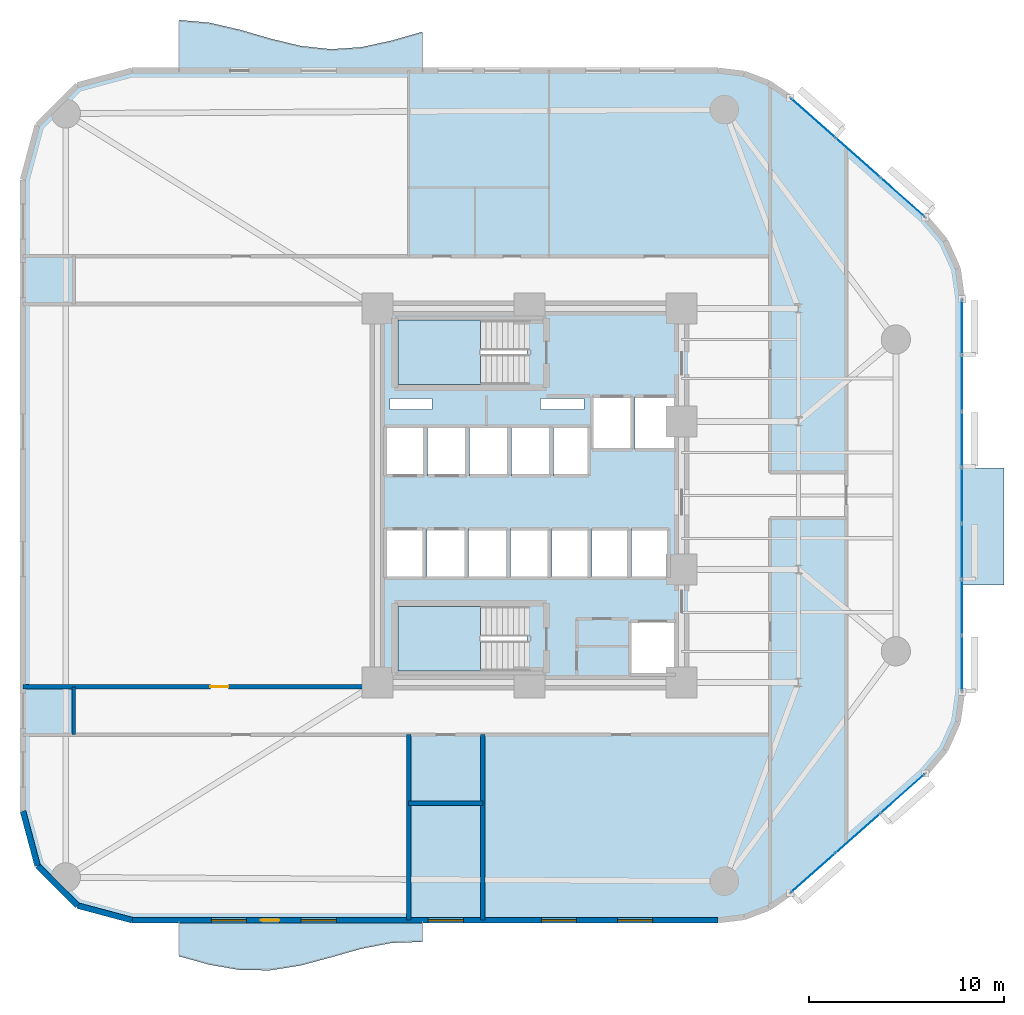
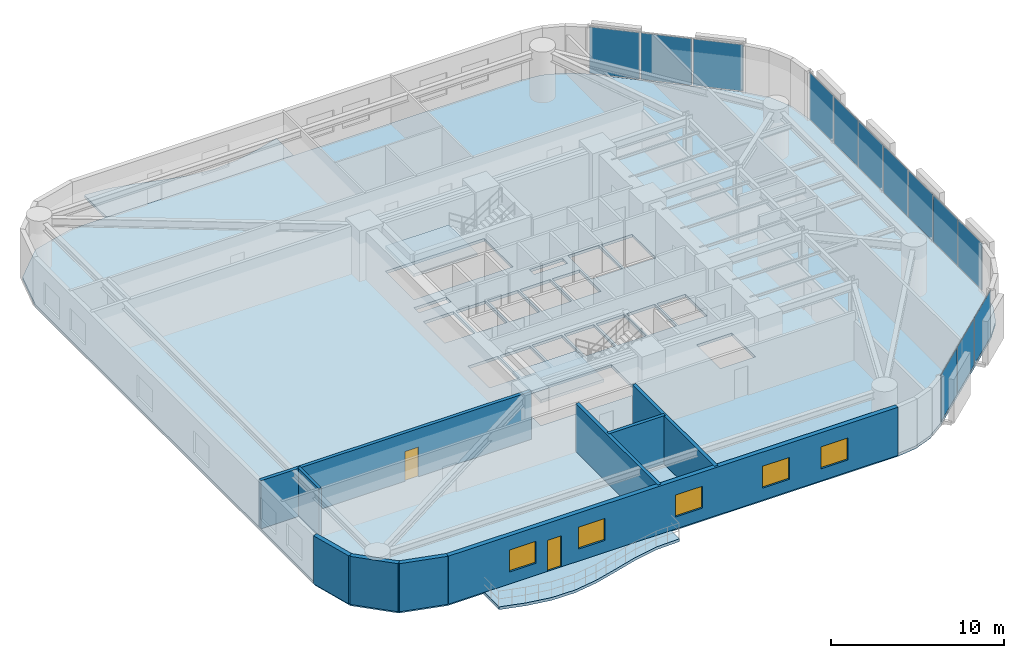
# One storey, part 9 of 15: 13 plates, 9 walls, 6 slabs, 5 windows, 2 doors, 7 openings, 5 elements without a shape of their own.
"""IFC4 building model written with IfcOpenShell, lengths in metres."""

from ifc_helpers import new_model, si_unit, direction, frame, frame_2d, origin, origin_2d, place, context, subcontext, project, spatial, polyline, rectangle, outline, extrude, material, layer, layer_set, type_object, element, fill, aggregate, save


model = new_model("IFC4")

# Units and contexts
model_context = context("Model", 3, precision=1e-05, world=origin(), true_north=direction((0.0, 1.0)))
body_context = subcontext(model_context, "Body", "Model", "MODEL_VIEW")
ifc_project = project(units=[si_unit("LENGTHUNIT", "METRE"), si_unit("AREAUNIT", "SQUARE_METRE"), si_unit("VOLUMEUNIT", "CUBIC_METRE"), si_unit("PLANEANGLEUNIT", "RADIAN"), si_unit("MASSUNIT", "GRAM", prefix="KILO")], contexts=[model_context])

# Site, building, storey
site_placement = place(None, origin())
site = spatial("IfcSite", under=ifc_project, at=site_placement, CompositionType="ELEMENT")
building_placement = place(site_placement, origin())
building = spatial("IfcBuilding", under=site, at=building_placement, Name="An Khanh Terracotta Commons", CompositionType="ELEMENT")
storey_placement = place(building_placement, frame((0.0, 0.0, 61.199951171875)))
storey = spatial("IfcBuildingStorey", under=building, at=storey_placement, Name="L16", CompositionType="ELEMENT", Elevation=61.199951171875)

# Curtain wall, plates
ifc_material_1 = material(Name="Anodised Aluminium 6063-T6", Category="aluminium")
ifc_layer_1 = layer(ifc_material_1, 0.199951171875, Name="Anodised Aluminium 6063-T6")
ifc_layer_set_1 = layer_set([ifc_layer_1], Name="Anodised Aluminium 6063-T6")
curtain_wall_type = type_object("IfcCurtainWallType", Name="CW-SYS-02", PredefinedType="USERDEFINED", material=ifc_layer_set_1)
curtain_wall_1_placement = place(storey_placement, origin())
curtain_wall_1 = element("IfcCurtainWall", 1, at=curtain_wall_1_placement, inside=storey, type_object=curtain_wall_type, Name="L16 CW-02 Unitised Curtain Wall CW-L16-08", ObjectType="UNITISED CURTAIN WALL", PredefinedType="USERDEFINED")
ifc_material_2 = material(Name="Double Low-E Solar Control Glazing", Category="glass")
ifc_layer_2 = layer(ifc_material_2, 0.028076171875, Name="Double Low-E Solar Control Glazing")
ifc_layer_set_2 = layer_set([ifc_layer_2], Name="Double Low-E Solar Control Glazing")
plate_type = type_object("IfcPlateType", Name="CWP-IGU-28", PredefinedType="CURTAIN_PANEL", material=ifc_layer_set_2)
plate_1_placement = place(storey_placement, frame((43.95556640625, 4.637939453125, 0.06005859375), z_axis=(0.0, 0.0, 1.0), x_axis=(0.749019284633, 0.662548195415, 0.0)))
plate_1 = element("IfcPlate", 2, at=plate_1_placement, type_object=plate_type, Name="CW-02 panel 1.1", PredefinedType="CURTAIN_PANEL", context=body_context, shape_type="SweptSolid", body=[
    extrude(rectangle(XDim=2.97509765625, YDim=0.028076171875, at=origin_2d()), origin(), (0.0, 0.0, 1.0), 3.280029296875),
])
plate_2_placement = place(storey_placement, frame((46.24951171875, 6.6669921875, 0.06005859375), z_axis=(0.0, 0.0, 1.0), x_axis=(0.749019284633, 0.662548195415, 0.0)))
plate_2 = element("IfcPlate", 3, at=plate_2_placement, type_object=plate_type, Name="CW-02 panel 2.1", PredefinedType="CURTAIN_PANEL", context=body_context, shape_type="SweptSolid", body=[
    extrude(rectangle(XDim=3.010009765625, YDim=0.028076171875, at=origin_2d()), origin(), (0.0, 0.0, 1.0), 3.280029296875),
])
plate_3_placement = place(storey_placement, frame((48.54345703125, 8.696044921875, 0.06005859375), z_axis=(0.0, 0.0, 1.0), x_axis=(0.749019284633, 0.662548195415, 0.0)))
plate_3 = element("IfcPlate", 4, at=plate_3_placement, type_object=plate_type, Name="CW-02 panel 3.1", PredefinedType="CURTAIN_PANEL", context=body_context, shape_type="SweptSolid", body=[
    extrude(rectangle(XDim=2.97509765625, YDim=0.028076171875, at=origin_2d()), origin(), (0.0, 0.0, 1.0), 3.280029296875),
])
aggregate(curtain_wall_1, [plate_1, plate_2, plate_3])

curtain_wall_2_placement = place(storey_placement, origin())
curtain_wall_2 = element("IfcCurtainWall", 5, at=curtain_wall_2_placement, inside=storey, type_object=curtain_wall_type, Name="L16 CW-02 Unitised Curtain Wall CW-L16-12", ObjectType="UNITISED CURTAIN WALL", PredefinedType="USERDEFINED")
plate_4_placement = place(storey_placement, frame((51.60009765625, 15.380126953125, 0.06005859375), z_axis=(0.0, 0.0, 1.0), x_axis=(0.0, 1.0, 0.0)))
plate_4 = element("IfcPlate", 6, at=plate_4_placement, type_object=plate_type, Name="CW-02 panel 1.1", PredefinedType="CURTAIN_PANEL", context=body_context, shape_type="SweptSolid", body=[
    extrude(rectangle(XDim=2.774169921875, YDim=0.028076171875, at=origin_2d()), origin(), (0.0, 0.0, 1.0), 3.280029296875),
])
plate_5_placement = place(storey_placement, frame((51.60009765625, 18.24169921875, 0.06005859375), z_axis=(0.0, 0.0, 1.0), x_axis=(0.0, 1.0, 0.0)))
plate_5 = element("IfcPlate", 7, at=plate_5_placement, type_object=plate_type, Name="CW-02 panel 2.1", PredefinedType="CURTAIN_PANEL", context=body_context, shape_type="SweptSolid", body=[
    extrude(rectangle(XDim=2.80908203125, YDim=0.028076171875, at=origin_2d()), origin(), (0.0, 0.0, 1.0), 3.280029296875),
])
plate_6_placement = place(storey_placement, frame((51.60009765625, 21.120849609375, 0.06005859375), z_axis=(0.0, 0.0, 1.0), x_axis=(0.0, 1.0, 0.0)))
plate_6 = element("IfcPlate", 8, at=plate_6_placement, type_object=plate_type, Name="CW-02 panel 3.1", PredefinedType="CURTAIN_PANEL", context=body_context, shape_type="SweptSolid", body=[
    extrude(rectangle(XDim=2.80908203125, YDim=0.028076171875, at=origin_2d()), origin(), (0.0, 0.0, 1.0), 3.280029296875),
])
plate_7_placement = place(storey_placement, frame((51.60009765625, 24.0, 0.06005859375), z_axis=(0.0, 0.0, 1.0), x_axis=(0.0, 1.0, 0.0)))
plate_7 = element("IfcPlate", 9, at=plate_7_placement, type_object=plate_type, Name="CW-02 panel 4.1", PredefinedType="CURTAIN_PANEL", context=body_context, shape_type="SweptSolid", body=[
    extrude(rectangle(XDim=2.80908203125, YDim=0.028076171875, at=origin_2d()), origin(), (0.0, 0.0, 1.0), 3.280029296875),
])
plate_8_placement = place(storey_placement, frame((51.60009765625, 26.879150390625, 0.06005859375), z_axis=(0.0, 0.0, 1.0), x_axis=(0.0, 1.0, 0.0)))
plate_8 = element("IfcPlate", 10, at=plate_8_placement, type_object=plate_type, Name="CW-02 panel 5.1", PredefinedType="CURTAIN_PANEL", context=body_context, shape_type="SweptSolid", body=[
    extrude(rectangle(XDim=2.80908203125, YDim=0.028076171875, at=origin_2d()), origin(), (0.0, 0.0, 1.0), 3.280029296875),
])
plate_9_placement = place(storey_placement, frame((51.60009765625, 29.75830078125, 0.06005859375), z_axis=(0.0, 0.0, 1.0), x_axis=(0.0, 1.0, 0.0)))
plate_9 = element("IfcPlate", 11, at=plate_9_placement, type_object=plate_type, Name="CW-02 panel 6.1", PredefinedType="CURTAIN_PANEL", context=body_context, shape_type="SweptSolid", body=[
    extrude(rectangle(XDim=2.80908203125, YDim=0.028076171875, at=origin_2d()), origin(), (0.0, 0.0, 1.0), 3.280029296875),
])
plate_10_placement = place(storey_placement, frame((51.60009765625, 32.619873046875, 0.06005859375), z_axis=(0.0, 0.0, 1.0), x_axis=(0.0, 1.0, 0.0)))
plate_10 = element("IfcPlate", 12, at=plate_10_placement, type_object=plate_type, Name="CW-02 panel 7.1", PredefinedType="CURTAIN_PANEL", context=body_context, shape_type="SweptSolid", body=[
    extrude(rectangle(XDim=2.774169921875, YDim=0.028076171875, at=origin_2d()), origin(), (0.0, 0.0, 1.0), 3.280029296875),
])
aggregate(curtain_wall_2, [plate_4, plate_5, plate_6, plate_7, plate_8, plate_9, plate_10])

curtain_wall_3_placement = place(storey_placement, origin())
curtain_wall_3 = element("IfcCurtainWall", 13, at=curtain_wall_3_placement, inside=storey, type_object=curtain_wall_type, Name="L16 CW-02 Unitised Curtain Wall CW-L16-16", ObjectType="UNITISED CURTAIN WALL", PredefinedType="USERDEFINED")
plate_11_placement = place(storey_placement, frame((48.54345703125, 39.303955078125, 0.06005859375), z_axis=(0.0, 0.0, 1.0), x_axis=(-0.749019284633, 0.662548195415, 0.0)))
plate_11 = element("IfcPlate", 14, at=plate_11_placement, type_object=plate_type, Name="CW-02 panel 1.1", PredefinedType="CURTAIN_PANEL", context=body_context, shape_type="SweptSolid", body=[
    extrude(rectangle(XDim=2.97509765625, YDim=0.028076171875, at=origin_2d()), origin(), (0.0, 0.0, 1.0), 3.280029296875),
])
plate_12_placement = place(storey_placement, frame((46.24951171875, 41.3330078125, 0.06005859375), z_axis=(0.0, 0.0, 1.0), x_axis=(-0.749019284633, 0.662548195415, 0.0)))
plate_12 = element("IfcPlate", 15, at=plate_12_placement, type_object=plate_type, Name="CW-02 panel 2.1", PredefinedType="CURTAIN_PANEL", context=body_context, shape_type="SweptSolid", body=[
    extrude(rectangle(XDim=3.010009765625, YDim=0.028076171875, at=origin_2d()), origin(), (0.0, 0.0, 1.0), 3.280029296875),
])
plate_13_placement = place(storey_placement, frame((43.95556640625, 43.362060546875, 0.06005859375), z_axis=(0.0, 0.0, 1.0), x_axis=(-0.749019284633, 0.662548195415, 0.0)))
plate_13 = element("IfcPlate", 16, at=plate_13_placement, type_object=plate_type, Name="CW-02 panel 3.1", PredefinedType="CURTAIN_PANEL", context=body_context, shape_type="SweptSolid", body=[
    extrude(rectangle(XDim=2.97509765625, YDim=0.028076171875, at=origin_2d()), origin(), (0.0, 0.0, 1.0), 3.280029296875),
])
aggregate(curtain_wall_3, [plate_11, plate_12, plate_13])

# Slabs
ifc_material_3 = material(Name="Concrete C40/50", Category="concrete")
ifc_layer_3 = layer(ifc_material_3, 0.199951171875, Name="Concrete C40/50")
ifc_layer_set_3 = layer_set([ifc_layer_3], Name="Concrete C40/50")
slab_type_1 = type_object("IfcSlabType", Name="SLAB-BALC-200", PredefinedType="FLOOR", material=ifc_layer_set_3)
slab_1_placement = place(storey_placement, frame((0.0, 0.0, -0.199951171875)))
element("IfcSlab", 17, at=slab_1_placement, inside=storey, type_object=slab_type_1, Name="L16 S Sinusoidal Wave Balcony Slab", PredefinedType="FLOOR", context=body_context, shape_type="SweptSolid", body=[
    extrude(outline(polyline([(11.39990234375, 2.199951171875), (11.39990234375, 0.35009765625), (12.962890625, -0.08203125), (14.52490234375, -0.35595703125), (16.0869140625, -0.373046875), (17.64990234375, -0.1259765625), (19.2119140625, 0.294921875), (20.77490234375, 0.736083984375), (22.3369140625, 1.035888671875), (23.89990234375, 1.0859375), (23.89990234375, 2.199951171875), (11.39990234375, 2.199951171875)])), origin(), (0.0, 0.0, 1.0), 0.199951171875),
])
slab_2_placement = place(storey_placement, frame((0.0, 0.0, -0.199951171875)))
element("IfcSlab", 18, at=slab_2_placement, inside=storey, type_object=slab_type_1, Name="L16 N Sinusoidal Wave Balcony Slab", PredefinedType="FLOOR", context=body_context, shape_type="SweptSolid", body=[
    extrude(outline(polyline([(23.89990234375, 45.800048828125), (23.89990234375, 47.7958984375), (22.3369140625, 47.345947265625), (20.77490234375, 47.007080078125), (19.2119140625, 46.902099609375), (17.64990234375, 47.070068359375), (16.0869140625, 47.449951171875), (14.52490234375, 47.903076171875), (12.962890625, 48.262939453125), (11.39990234375, 48.39990234375), (11.39990234375, 45.800048828125), (23.89990234375, 45.800048828125)])), origin(), (0.0, 0.0, 1.0), 0.199951171875),
])
ifc_layer_4 = layer(ifc_material_3, 0.22998046875, Name="Concrete C40/50")
ifc_layer_set_4 = layer_set([ifc_layer_4], Name="Concrete C40/50")
slab_type_2 = type_object("IfcSlabType", Name="SLAB-BOXROOF-230", PredefinedType="ROOF", material=ifc_layer_set_4)
slab_3_placement = place(storey_placement, frame((0.0, 0.0, -0.199951171875)))
element("IfcSlab", 19, at=slab_3_placement, inside=storey, type_object=slab_type_2, Name="L16 Shifted Social Kitchen Box Closing Roof Slab (L15)", PredefinedType="ROOF", context=body_context, shape_type="SweptSolid", body=[
    extrude(outline(polyline([(51.60009765625, 19.39990234375), (53.75, 19.39990234375), (53.75, 25.39990234375), (51.60009765625, 25.39990234375), (51.60009765625, 19.39990234375)])), origin(), (0.0, 0.0, 1.0), 0.199951171875),
])

# Stair, slab
ifc_material_4 = material(Name="Precast concrete C40/50", Category="concrete")
stair_type = type_object("IfcStairType", Name="STAIR-CORE-1550", PredefinedType="HALF_TURN_STAIR", material=ifc_material_4)
stair_1_placement = place(storey_placement, origin())
stair_1 = element("IfcStair", 20, at=stair_1_placement, inside=storey, type_object=stair_type, Name="L16 Core Smokeproof Exit Stair ST-01", PredefinedType="HALF_TURN_STAIR")
ifc_layer_5 = layer(ifc_material_3, 0.18994140625, Name="Concrete C40/50")
ifc_layer_set_5 = layer_set([ifc_layer_5], Name="Concrete C40/50")
slab_type_3 = type_object("IfcSlabType", Name="SLAB-LANDING-190", PredefinedType="LANDING", material=ifc_layer_set_5)
slab_4_placement = place(storey_placement, frame((0.0, 0.0, 1.60009765625)))
slab_4 = element("IfcSlab", 21, at=slab_4_placement, type_object=slab_type_3, Name="ST-01 landing 1", PredefinedType="LANDING", context=body_context, shape_type="SweptSolid", body=[
    extrude(outline(polyline([(26.889892578125, 33.0), (22.64990234375, 33.0), (22.64990234375, 29.699951171875), (26.889892578125, 29.699951171875), (26.889892578125, 33.0)])), origin(), (0.0, 0.0, 1.0), 0.199951171875),
])
aggregate(stair_1, [slab_4])

stair_2_placement = place(storey_placement, origin())
stair_2 = element("IfcStair", 22, at=stair_2_placement, inside=storey, type_object=stair_type, Name="L16 Core Smokeproof Exit Stair ST-02", PredefinedType="HALF_TURN_STAIR")
slab_5_placement = place(storey_placement, frame((0.0, 0.0, 1.60009765625)))
slab_5 = element("IfcSlab", 23, at=slab_5_placement, type_object=slab_type_3, Name="ST-02 landing 1", PredefinedType="LANDING", context=body_context, shape_type="SweptSolid", body=[
    extrude(outline(polyline([(26.889892578125, 18.300048828125), (22.64990234375, 18.300048828125), (22.64990234375, 15.0), (26.889892578125, 15.0), (26.889892578125, 18.300048828125)])), origin(), (0.0, 0.0, 1.0), 0.199951171875),
])
aggregate(stair_2, [slab_5])

# Slab
ifc_layer_6 = layer(ifc_material_3, 0.199951171875, Name="Concrete C40/50")
ifc_layer_set_6 = layer_set([ifc_layer_6], Name="Concrete C40/50")
slab_type_4 = type_object("IfcSlabType", Name="SLAB-TYP-200", PredefinedType="FLOOR", material=ifc_layer_set_6)
slab_6_placement = place(storey_placement, frame((0.0, 0.0, -0.199951171875)))
element("IfcSlab", 24, at=slab_6_placement, inside=storey, type_object=slab_type_4, Name="L16 Structural Floor Slab", PredefinedType="FLOOR", context=body_context, shape_type="SweptSolid", body=[
    extrude(outline(polyline([(3.39990234375, 7.800048828125), (4.14990234375, 5.0), (6.199951171875, 2.949951171875), (9.0, 2.199951171875), (39.0791015625, 2.199951171875), (40.4169921875, 2.362060546875), (41.678955078125, 2.840087890625), (42.7890625, 3.60595703125), (49.7099609375, 9.72802734375), (50.73193359375, 10.927978515625), (51.37890625, 12.363037109375), (51.60009765625, 13.923095703125), (51.60009765625, 34.076904296875), (51.37890625, 35.636962890625), (50.73193359375, 37.072021484375), (49.7099609375, 38.27197265625), (42.7890625, 44.39404296875), (41.678955078125, 45.159912109375), (40.4169921875, 45.637939453125), (39.0791015625, 45.800048828125), (9.0, 45.800048828125), (6.199951171875, 45.050048828125), (4.14990234375, 43.0), (3.39990234375, 40.199951171875), (3.39990234375, 7.800048828125)]), holes=[polyline([(22.64990234375, 29.699951171875), (29.27001953125, 29.699951171875), (29.27001953125, 33.0), (22.64990234375, 33.0), (22.64990234375, 29.699951171875)]), polyline([(22.64990234375, 15.0), (29.27001953125, 15.0), (29.27001953125, 18.300048828125), (22.64990234375, 18.300048828125), (22.64990234375, 15.0)]), polyline([(32.60009765625, 26.35009765625), (34.679931640625, 26.35009765625), (34.679931640625, 29.080078125), (32.60009765625, 29.080078125), (32.60009765625, 26.35009765625)]), polyline([(34.820068359375, 26.35009765625), (36.89990234375, 26.35009765625), (36.89990234375, 29.080078125), (34.820068359375, 29.080078125), (34.820068359375, 26.35009765625)]), polyline([(34.550048828125, 14.800048828125), (36.89990234375, 14.800048828125), (36.89990234375, 17.550048828125), (34.550048828125, 17.550048828125), (34.550048828125, 14.800048828125)]), polyline([(22.0, 25.0), (24.02001953125, 25.0), (24.02001953125, 27.5), (22.0, 27.5), (22.0, 25.0)]), polyline([(24.159912109375, 25.0), (26.179931640625, 25.0), (26.179931640625, 27.5), (24.159912109375, 27.5), (24.159912109375, 25.0)]), polyline([(22.0, 19.800048828125), (24.0, 19.800048828125), (24.0, 22.300048828125), (22.0, 22.300048828125), (22.0, 19.800048828125)]), polyline([(24.139892578125, 19.800048828125), (26.139892578125, 19.800048828125), (26.139892578125, 22.300048828125), (24.139892578125, 22.300048828125), (24.139892578125, 19.800048828125)]), polyline([(26.320068359375, 25.0), (28.340087890625, 25.0), (28.340087890625, 27.5), (26.320068359375, 27.5), (26.320068359375, 25.0)]), polyline([(28.47998046875, 25.0), (30.5, 25.0), (30.5, 27.5), (28.47998046875, 27.5), (28.47998046875, 25.0)]), polyline([(26.280029296875, 19.800048828125), (28.280029296875, 19.800048828125), (28.280029296875, 22.300048828125), (26.280029296875, 22.300048828125), (26.280029296875, 19.800048828125)]), polyline([(28.419921875, 19.800048828125), (30.419921875, 19.800048828125), (30.419921875, 22.300048828125), (28.419921875, 22.300048828125), (28.419921875, 19.800048828125)]), polyline([(30.639892578125, 25.0), (32.4599609375, 25.0), (32.4599609375, 27.5), (30.639892578125, 27.5), (30.639892578125, 25.0)]), polyline([(30.56005859375, 19.800048828125), (32.4599609375, 19.800048828125), (32.4599609375, 22.300048828125), (30.56005859375, 22.300048828125), (30.56005859375, 19.800048828125)]), polyline([(32.60009765625, 19.800048828125), (34.5, 19.800048828125), (34.5, 22.300048828125), (32.60009765625, 22.300048828125), (32.60009765625, 19.800048828125)]), polyline([(34.639892578125, 19.800048828125), (36.5400390625, 19.800048828125), (36.5400390625, 22.300048828125), (34.639892578125, 22.300048828125), (34.639892578125, 19.800048828125)]), polyline([(22.25, 28.419921875), (24.39990234375, 28.419921875), (24.39990234375, 28.97998046875), (22.25, 28.97998046875), (22.25, 28.419921875)]), polyline([(29.949951171875, 28.419921875), (32.199951171875, 28.419921875), (32.199951171875, 28.97998046875), (29.949951171875, 28.97998046875), (29.949951171875, 28.419921875)])]), origin(), (0.0, 0.0, 1.0), 0.199951171875),
])

# Walls
ifc_material_5 = material(Name="Fire-Rated Gypsum Board on Steel Stud", Category="steel")
ifc_layer_7 = layer(ifc_material_5, 0.179931640625, Name="Fire-Rated Gypsum Board on Steel Stud")
ifc_layer_set_7 = layer_set([ifc_layer_7], Name="Fire-Rated Gypsum Board on Steel Stud")
wall_type_1 = type_object("IfcWallType", Name="WALL-CORR-180", PredefinedType="PARTITIONING", material=ifc_layer_set_7)
wall_1_placement = place(storey_placement, frame((6.0, 11.719970703125, 0.0), z_axis=(0.0, 0.0, 1.0), x_axis=(0.0, 1.0, 0.0)))
element("IfcWall", 25, at=wall_1_placement, inside=storey, type_object=wall_type_1, Name="L16 Interior Partition IW-L16-E009", PredefinedType="PARTITIONING", context=body_context, shape_type="SweptSolid", body=[
    extrude(rectangle(XDim=2.4599609375, YDim=0.179931640625, at=frame_2d((1.22998046875, 0.0))), origin(), (0.0, 0.0, 1.0), 3.400146484375),
])
ifc_layer_8 = layer(ifc_material_4, 0.300048828125, Name="Precast concrete C40/50")
ifc_layer_set_8 = layer_set([ifc_layer_8], Name="Precast concrete C40/50")
wall_type_2 = type_object("IfcWallType", Name="WALL-EXT-300", PredefinedType="SOLIDWALL", material=ifc_layer_set_8)
wall_2_placement = place(storey_placement, frame((3.39990234375, 7.800048828125, 0.0), z_axis=(0.0, 0.0, 1.0), x_axis=(0.258731875344, -0.96594917914, 0.0)))
element("IfcWall", 26, at=wall_2_placement, inside=storey, type_object=wall_type_2, Name="L16 Insulated Terracotta Exterior Wall 1", PredefinedType="SOLIDWALL", context=body_context, shape_type="SweptSolid", body=[
    extrude(rectangle(XDim=2.898681640625, YDim=0.300048828125, at=frame_2d((1.44921875, 0.0))), origin(), (0.0, 0.0, 1.0), 3.400146484375),
])
wall_3_placement = place(storey_placement, frame((4.14990234375, 5.0, 0.0), z_axis=(0.0, 0.0, 1.0), x_axis=(0.707106781187, -0.707106781187, 0.0)))
element("IfcWall", 27, at=wall_3_placement, inside=storey, type_object=wall_type_2, Name="L16 Insulated Terracotta Exterior Wall 2", PredefinedType="SOLIDWALL", context=body_context, shape_type="SweptSolid", body=[
    extrude(rectangle(XDim=2.899169921875, YDim=0.300048828125, at=frame_2d((1.44970703125, 0.0))), origin(), (0.0, 0.0, 1.0), 3.400146484375),
])
wall_4_placement = place(storey_placement, frame((6.199951171875, 2.949951171875, 0.0), z_axis=(0.0, 0.0, 1.0), x_axis=(0.96594917914, -0.258731875344, 0.0)))
element("IfcWall", 28, at=wall_4_placement, inside=storey, type_object=wall_type_2, Name="L16 Insulated Terracotta Exterior Wall 3", PredefinedType="SOLIDWALL", context=body_context, shape_type="SweptSolid", body=[
    extrude(rectangle(XDim=2.898681640625, YDim=0.300048828125, at=frame_2d((1.44921875, 0.0))), origin(), (0.0, 0.0, 1.0), 3.400146484375),
])

# Wall, openings, door, windows
wall_5_placement = place(storey_placement, frame((9.0, 2.199951171875, 0.0), z_axis=(0.0, 0.0, 1.0), x_axis=(1.0, 0.0, 0.0)))
wall_5 = element("IfcWall", 29, at=wall_5_placement, inside=storey, type_object=wall_type_2, Name="L16 Insulated Terracotta Exterior Wall 4", PredefinedType="SOLIDWALL", context=body_context, shape_type="SweptSolid", body=[
    extrude(rectangle(XDim=30.0791015625, YDim=0.300048828125, at=frame_2d((15.03955078125, 0.0))), origin(), (0.0, 0.0, 1.0), 3.400146484375),
])
opening_1_placement = place(wall_5_placement, frame((6.612060546875, 0.0, 0.0)))
opening_1 = element("IfcOpeningElement", 30, at=opening_1_placement, cuts=wall_5, Name="Opening D-BAL", PredefinedType="OPENING", context=body_context, shape_type="SweptSolid", body=[
    extrude(rectangle(XDim=0.949951171875, YDim=2.199951171875, at=frame_2d((0.47509765625, 1.10009765625))), frame((0.0, 0.159912109375, 0.0), z_axis=(0.0, -1.0, 0.0), x_axis=(1.0, 0.0, 0.0)), (0.0, 0.0, 1.0), 0.320068359375),
])
opening_2_placement = place(wall_5_placement, frame((4.06689453125, 0.0, 0.85009765625)))
opening_2 = element("IfcOpeningElement", 31, at=opening_2_placement, cuts=wall_5, Name="Opening W-01", PredefinedType="OPENING", context=body_context, shape_type="SweptSolid", body=[
    extrude(rectangle(XDim=1.800048828125, YDim=1.550048828125, at=frame_2d((0.89990234375, 0.77490234375))), frame((0.0, 0.159912109375, 0.0), z_axis=(0.0, -1.0, 0.0), x_axis=(1.0, 0.0, 0.0)), (0.0, 0.0, 1.0), 0.320068359375),
])
opening_3_placement = place(wall_5_placement, frame((8.68310546875, 0.0, 0.85009765625)))
opening_3 = element("IfcOpeningElement", 32, at=opening_3_placement, cuts=wall_5, Name="Opening W-01", PredefinedType="OPENING", context=body_context, shape_type="SweptSolid", body=[
    extrude(rectangle(XDim=1.800048828125, YDim=1.550048828125, at=frame_2d((0.89990234375, 0.77490234375))), frame((0.0, 0.159912109375, 0.0), z_axis=(0.0, -1.0, 0.0), x_axis=(1.0, 0.0, 0.0)), (0.0, 0.0, 1.0), 0.320068359375),
])
opening_4_placement = place(wall_5_placement, frame((15.199951171875, 0.0, 0.85009765625)))
opening_4 = element("IfcOpeningElement", 33, at=opening_4_placement, cuts=wall_5, Name="Opening W-01", PredefinedType="OPENING", context=body_context, shape_type="SweptSolid", body=[
    extrude(rectangle(XDim=1.800048828125, YDim=1.550048828125, at=frame_2d((0.89990234375, 0.77490234375))), frame((0.0, 0.159912109375, 0.0), z_axis=(0.0, -1.0, 0.0), x_axis=(1.0, 0.0, 0.0)), (0.0, 0.0, 1.0), 0.320068359375),
])
opening_5_placement = place(wall_5_placement, frame((21.010009765625, 0.0, 0.85009765625)))
opening_5 = element("IfcOpeningElement", 34, at=opening_5_placement, cuts=wall_5, Name="Opening W-01", PredefinedType="OPENING", context=body_context, shape_type="SweptSolid", body=[
    extrude(rectangle(XDim=1.800048828125, YDim=1.550048828125, at=frame_2d((0.89990234375, 0.77490234375))), frame((0.0, 0.159912109375, 0.0), z_axis=(0.0, -1.0, 0.0), x_axis=(1.0, 0.0, 0.0)), (0.0, 0.0, 1.0), 0.320068359375),
])
opening_6_placement = place(wall_5_placement, frame((24.9189453125, 0.0, 0.85009765625)))
opening_6 = element("IfcOpeningElement", 35, at=opening_6_placement, cuts=wall_5, Name="Opening W-01", PredefinedType="OPENING", context=body_context, shape_type="SweptSolid", body=[
    extrude(rectangle(XDim=1.800048828125, YDim=1.550048828125, at=frame_2d((0.89990234375, 0.77490234375))), frame((0.0, 0.159912109375, 0.0), z_axis=(0.0, -1.0, 0.0), x_axis=(1.0, 0.0, 0.0)), (0.0, 0.0, 1.0), 0.320068359375),
])
ifc_material_6 = material(Name="Thermally Broken Aluminium and Low-E Glass", Category="aluminium")
door_type_1 = type_object("IfcDoorType", Name="DOOR-BALC-950", OperationType="NOTDEFINED", PredefinedType="DOOR", material=ifc_material_6)
door_1_placement = place(opening_1_placement, origin())
door_1 = element("IfcDoor", 36, at=door_1_placement, inside=storey, type_object=door_type_1, Name="L16 S Wave Balcony Glazed Door", OperationType="SINGLE_SWING_LEFT", OverallHeight=2.199951171875, OverallWidth=0.949951171875, PredefinedType="DOOR", context=body_context, shape_type="SweptSolid", body=[
    extrude(rectangle(XDim=0.949951171875, YDim=2.199951171875, at=frame_2d((0.47509765625, 1.10009765625))), frame((0.0, 0.02490234375, 0.0), z_axis=(0.0, -1.0, 0.0), x_axis=(1.0, 0.0, 0.0)), (0.0, 0.0, 1.0), 0.050048828125),
])
fill(opening_1, door_1)
window_type = type_object("IfcWindowType", Name="WIN-Z1-1800x1550", PartitioningType="DOUBLE_PANEL_VERTICAL", PredefinedType="WINDOW", material=ifc_material_6)
window_1_placement = place(opening_2_placement, origin())
window_1 = element("IfcWindow", 37, at=window_1_placement, inside=storey, type_object=window_type, Name="L16 Operable Casement Window 4.1", OverallHeight=1.550048828125, OverallWidth=1.800048828125, PartitioningType="DOUBLE_PANEL_VERTICAL", PredefinedType="WINDOW", context=body_context, shape_type="SweptSolid", body=[
    extrude(rectangle(XDim=1.800048828125, YDim=1.550048828125, at=frame_2d((0.89990234375, 0.77490234375))), frame((0.0, 0.030029296875, 0.0), z_axis=(0.0, -1.0, 0.0), x_axis=(1.0, 0.0, 0.0)), (0.0, 0.0, 1.0), 0.06005859375),
])
fill(opening_2, window_1)
window_2_placement = place(opening_3_placement, origin())
window_2 = element("IfcWindow", 38, at=window_2_placement, inside=storey, type_object=window_type, Name="L16 Operable Casement Window 4.2", OverallHeight=1.550048828125, OverallWidth=1.800048828125, PartitioningType="DOUBLE_PANEL_VERTICAL", PredefinedType="WINDOW", context=body_context, shape_type="SweptSolid", body=[
    extrude(rectangle(XDim=1.800048828125, YDim=1.550048828125, at=frame_2d((0.89990234375, 0.77490234375))), frame((0.0, 0.030029296875, 0.0), z_axis=(0.0, -1.0, 0.0), x_axis=(1.0, 0.0, 0.0)), (0.0, 0.0, 1.0), 0.06005859375),
])
fill(opening_3, window_2)
window_3_placement = place(opening_4_placement, origin())
window_3 = element("IfcWindow", 39, at=window_3_placement, inside=storey, type_object=window_type, Name="L16 Operable Casement Window 4.3", OverallHeight=1.550048828125, OverallWidth=1.800048828125, PartitioningType="DOUBLE_PANEL_VERTICAL", PredefinedType="WINDOW", context=body_context, shape_type="SweptSolid", body=[
    extrude(rectangle(XDim=1.800048828125, YDim=1.550048828125, at=frame_2d((0.89990234375, 0.77490234375))), frame((0.0, 0.030029296875, 0.0), z_axis=(0.0, -1.0, 0.0), x_axis=(1.0, 0.0, 0.0)), (0.0, 0.0, 1.0), 0.06005859375),
])
fill(opening_4, window_3)
window_4_placement = place(opening_5_placement, origin())
window_4 = element("IfcWindow", 40, at=window_4_placement, inside=storey, type_object=window_type, Name="L16 Operable Casement Window 4.4", OverallHeight=1.550048828125, OverallWidth=1.800048828125, PartitioningType="DOUBLE_PANEL_VERTICAL", PredefinedType="WINDOW", context=body_context, shape_type="SweptSolid", body=[
    extrude(rectangle(XDim=1.800048828125, YDim=1.550048828125, at=frame_2d((0.89990234375, 0.77490234375))), frame((0.0, 0.030029296875, 0.0), z_axis=(0.0, -1.0, 0.0), x_axis=(1.0, 0.0, 0.0)), (0.0, 0.0, 1.0), 0.06005859375),
])
fill(opening_5, window_4)
window_5_placement = place(opening_6_placement, origin())
window_5 = element("IfcWindow", 41, at=window_5_placement, inside=storey, type_object=window_type, Name="L16 Operable Casement Window 4.5", OverallHeight=1.550048828125, OverallWidth=1.800048828125, PartitioningType="DOUBLE_PANEL_VERTICAL", PredefinedType="WINDOW", context=body_context, shape_type="SweptSolid", body=[
    extrude(rectangle(XDim=1.800048828125, YDim=1.550048828125, at=frame_2d((0.89990234375, 0.77490234375))), frame((0.0, 0.030029296875, 0.0), z_axis=(0.0, -1.0, 0.0), x_axis=(1.0, 0.0, 0.0)), (0.0, 0.0, 1.0), 0.06005859375),
])
fill(opening_6, window_5)

# Wall
ifc_material_7 = material(Name="Acoustic Double-Stud Gypsum and Mineral Wool")
ifc_layer_9 = layer(ifc_material_7, 0.219970703125, Name="Acoustic Double-Stud Gypsum and Mineral Wool")
ifc_layer_set_9 = layer_set([ifc_layer_9], Name="Acoustic Double-Stud Gypsum and Mineral Wool")
wall_type_3 = type_object("IfcWallType", Name="WALL-PARTY-220", PredefinedType="PARTITIONING", material=ifc_layer_set_9)
wall_6_placement = place(storey_placement, frame((23.199951171875, 8.199951171875, 0.0), z_axis=(0.0, 0.0, 1.0), x_axis=(1.0, 0.0, 0.0)))
element("IfcWall", 42, at=wall_6_placement, inside=storey, type_object=wall_type_3, Name="L16 Interior Partition IW-L16-E001", PredefinedType="PARTITIONING", context=body_context, shape_type="SweptSolid", body=[
    extrude(rectangle(XDim=3.800048828125, YDim=0.219970703125, at=frame_2d((1.89990234375, 0.0))), origin(), (0.0, 0.0, 1.0), 3.400146484375),
])

# Wall, opening, door
wall_7_placement = place(storey_placement, frame((3.39990234375, 14.179931640625, 0.0), z_axis=(0.0, 0.0, 1.0), x_axis=(1.0, 0.0, 0.0)))
wall_7 = element("IfcWall", 43, at=wall_7_placement, inside=storey, type_object=wall_type_3, Name="L16 Interior Partition IW-L16-E003", PredefinedType="PARTITIONING", context=body_context, shape_type="SweptSolid", body=[
    extrude(rectangle(XDim=18.080078125, YDim=0.219970703125, at=frame_2d((9.0400390625, 0.0))), origin(), (0.0, 0.0, 1.0), 3.400146484375),
])
opening_7_placement = place(wall_7_placement, frame((9.6201171875, 0.0, 0.0)))
opening_7 = element("IfcOpeningElement", 44, at=opening_7_placement, cuts=wall_7, Name="Opening D-RM", PredefinedType="OPENING", context=body_context, shape_type="SweptSolid", body=[
    extrude(rectangle(XDim=0.919921875, YDim=2.10009765625, at=frame_2d((0.4599609375, 1.050048828125))), frame((0.0, 0.119873046875, 0.0), z_axis=(0.0, -1.0, 0.0), x_axis=(1.0, 0.0, 0.0)), (0.0, 0.0, 1.0), 0.239990234375),
])
ifc_material_8 = material(Name="Engineered Hardwood Timber Leaf", Category="wood")
door_type_2 = type_object("IfcDoorType", Name="DOOR-INT-920", OperationType="NOTDEFINED", PredefinedType="DOOR", material=ifc_material_8)
door_2_placement = place(opening_7_placement, origin())
door_2 = element("IfcDoor", 45, at=door_2_placement, inside=storey, type_object=door_type_2, Name="L16 WW1 Riverfront Reading Hall Door", OperationType="SINGLE_SWING_LEFT", OverallHeight=2.10009765625, OverallWidth=0.919921875, PredefinedType="DOOR", context=body_context, shape_type="SweptSolid", body=[
    extrude(rectangle(XDim=0.919921875, YDim=2.10009765625, at=frame_2d((0.4599609375, 1.050048828125))), frame((0.0, 0.02490234375, 0.0), z_axis=(0.0, -1.0, 0.0), x_axis=(1.0, 0.0, 0.0)), (0.0, 0.0, 1.0), 0.050048828125),
])
fill(opening_7, door_2)

# Walls
for number, where, z_axis, x_axis, name in (
    (46, (23.199951171875, 2.199951171875, 0.0), (0.0, 0.0, 1.0), (0.0, 1.0, 0.0), "L16 Interior Partition IW-L16-E011"),
    (47, (27.0, 2.199951171875, 0.0), (0.0, 0.0, 1.0), (0.0, 1.0, 0.0), "L16 Interior Partition IW-L16-E014"),
):
    element("IfcWall", number, at=place(storey_placement, frame(where, z_axis=z_axis, x_axis=x_axis)), inside=storey, type_object=wall_type_3, Name=name, PredefinedType="PARTITIONING", context=body_context, shape_type="SweptSolid", body=[
        extrude(rectangle(XDim=9.52001953125, YDim=0.219970703125, at=frame_2d((4.760009765625, 0.0))), origin(), (0.0, 0.0, 1.0), 3.400146484375),
    ])

save(model, "model.ifc")
